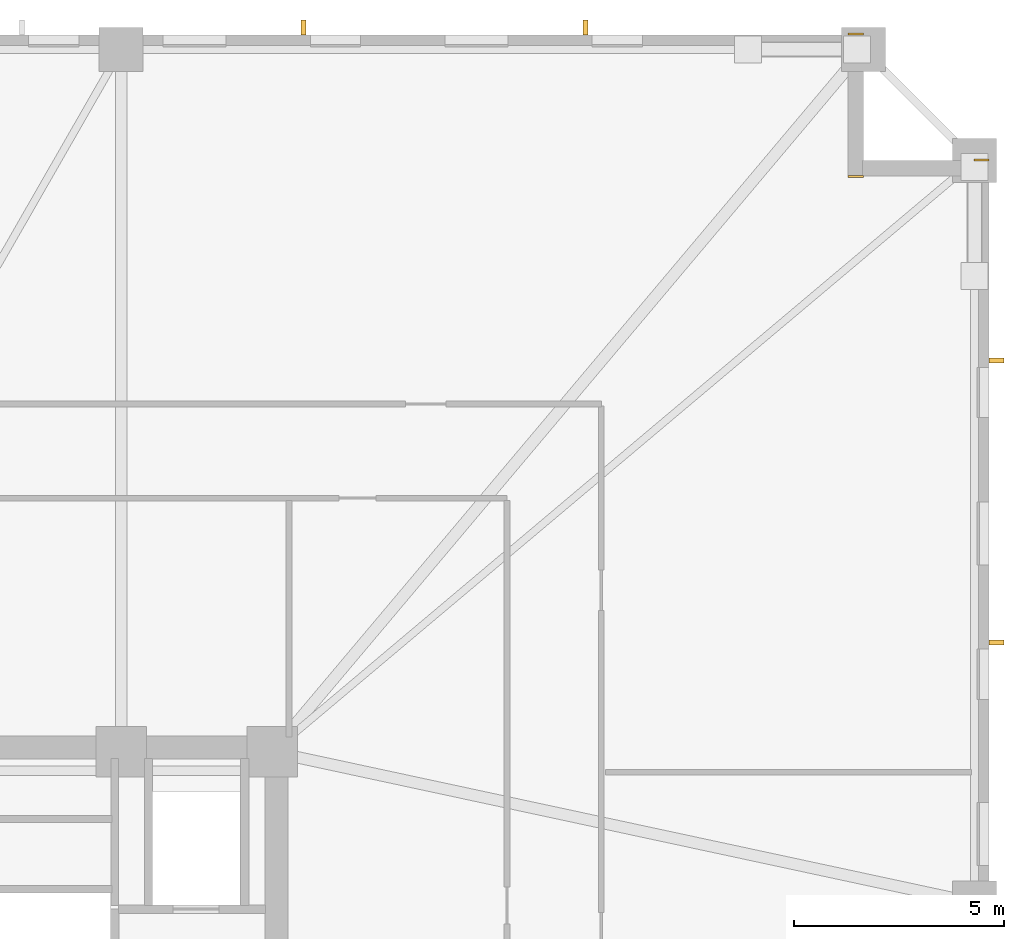
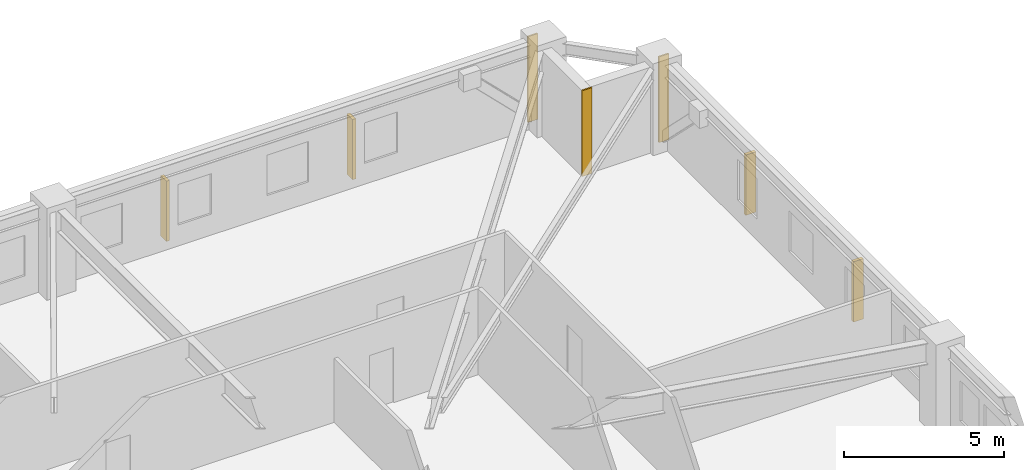
# One storey, part 11 of 11: 4 shading devices, 3 coverings.
"""IFC4 building model written with IfcOpenShell, lengths in metres."""

from ifc_helpers import new_model, si_unit, direction, frame, frame_2d, origin, origin_2d, place, context, subcontext, project, spatial, rectangle, extrude, material, layer, layer_set, type_object, element, save


model = new_model("IFC4")

# Units and contexts
model_context = context("Model", 3, precision=1e-05, world=origin(), true_north=direction((0.0, 1.0)))
body_context = subcontext(model_context, "Body", "Model", "MODEL_VIEW")
ifc_project = project(units=[si_unit("LENGTHUNIT", "METRE"), si_unit("AREAUNIT", "SQUARE_METRE"), si_unit("VOLUMEUNIT", "CUBIC_METRE"), si_unit("PLANEANGLEUNIT", "RADIAN"), si_unit("MASSUNIT", "GRAM", prefix="KILO")], contexts=[model_context])

# Site, building, storey
site_placement = place(None, origin())
site = spatial("IfcSite", under=ifc_project, at=site_placement, CompositionType="ELEMENT")
building_placement = place(site_placement, origin())
building = spatial("IfcBuilding", under=site, at=building_placement, Name="Cairnveth Concourse Tower", CompositionType="ELEMENT")
storey_placement = place(building_placement, frame((0.0, 0.0, 34.0)))
storey = spatial("IfcBuildingStorey", under=building, at=storey_placement, Name="L08", CompositionType="ELEMENT", Elevation=34.0)

# Coverings
ifc_material_1 = material(Name="Dressed Melbourne Bluestone Cladding", Category="masonry")
ifc_layer = layer(ifc_material_1, 0.050048828125)
ifc_layer_set = layer_set([ifc_layer], Name="Dressed Melbourne Bluestone Cladding")
covering_type = type_object("IfcCoveringType", Name="DRESSED BLUESTONE PLINTH CLADDING 50", PredefinedType="CLADDING", material=ifc_layer_set)
for number, where, z_axis, x_axis, name in (
    (1, (74.139892578125, 64.52001953125, 0.0), (0.0, 0.0, 1.0), (1.0, 0.0, 0.0), "Melbourne Bluestone Corner Quoin L08-78"),
    (2, (74.139892578125, 61.1201171875, 0.0), (0.0, 0.0, 1.0), (1.0, 0.0, 0.0), "Melbourne Bluestone Corner Quoin L08-79"),
    (3, (77.139892578125, 61.52001953125, 0.0), (0.0, 0.0, 1.0), (1.0, 0.0, 0.0), "Melbourne Bluestone Corner Quoin L08-80"),
):
    element("IfcCovering", number, at=place(storey_placement, frame(where, z_axis=z_axis, x_axis=x_axis)), inside=storey, type_object=covering_type, Name=name, PredefinedType="CLADDING", context=body_context, shape_type="SweptSolid", body=[
        extrude(rectangle(XDim=0.360107421875, YDim=0.050048828125, at=frame_2d((0.18017578125, 0.0))), origin(), (0.0, 0.0, 1.0), 3.280029296875),
    ])

# Shading devices
ifc_material_2 = material(Name="Architectural Bronze Anodised Aluminium 6063-T6", Category="aluminium")
shading_device_type = type_object("IfcShadingDeviceType", Name="GOTHIC BRONZE VERTICAL LANCET FIN", PredefinedType="USERDEFINED", material=ifc_material_2)
for number, where, z_axis, x_axis, name in (
    (4, (61.151611328125, 64.675048828125, 0.02978515625), (0.0, 0.0, 1.0), (1.0, 0.0, 0.0), "Gothic Bronze Vertical Fin L08-6-9"),
    (5, (67.871826171875, 64.675048828125, 0.02978515625), (0.0, 0.0, 1.0), (1.0, 0.0, 0.0), "Gothic Bronze Vertical Fin L08-6-11"),
    (6, (77.675048828125, 56.72998046875, 0.02978515625), (0.0, 0.0, 1.0), (0.0, 1.0, 0.0), "Gothic Bronze Vertical Fin L08-9-1"),
    (7, (77.675048828125, 50.009521484375, 0.02978515625), (0.0, 0.0, 1.0), (0.0, 1.0, 0.0), "Gothic Bronze Vertical Fin L08-9-3"),
):
    element("IfcShadingDevice", number, at=place(storey_placement, frame(where, z_axis=z_axis, x_axis=x_axis)), inside=storey, type_object=shading_device_type, Name=name, ObjectType="VERTICAL FIN", PredefinedType="USERDEFINED", context=body_context, shape_type="SweptSolid", body=[
        extrude(rectangle(XDim=0.1201171875, YDim=0.360107421875, at=origin_2d()), origin(), (0.0, 0.0, 1.0), 2.303955078125),
    ])

save(model, "model.ifc")
